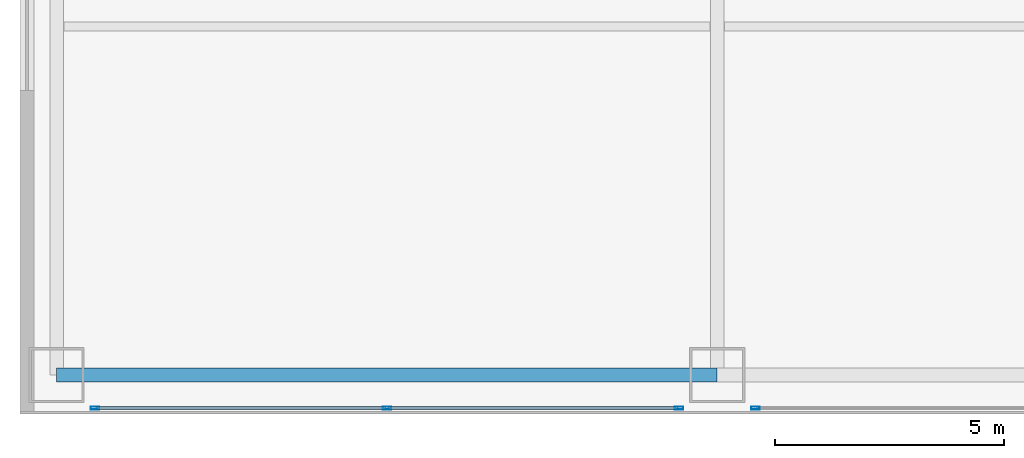
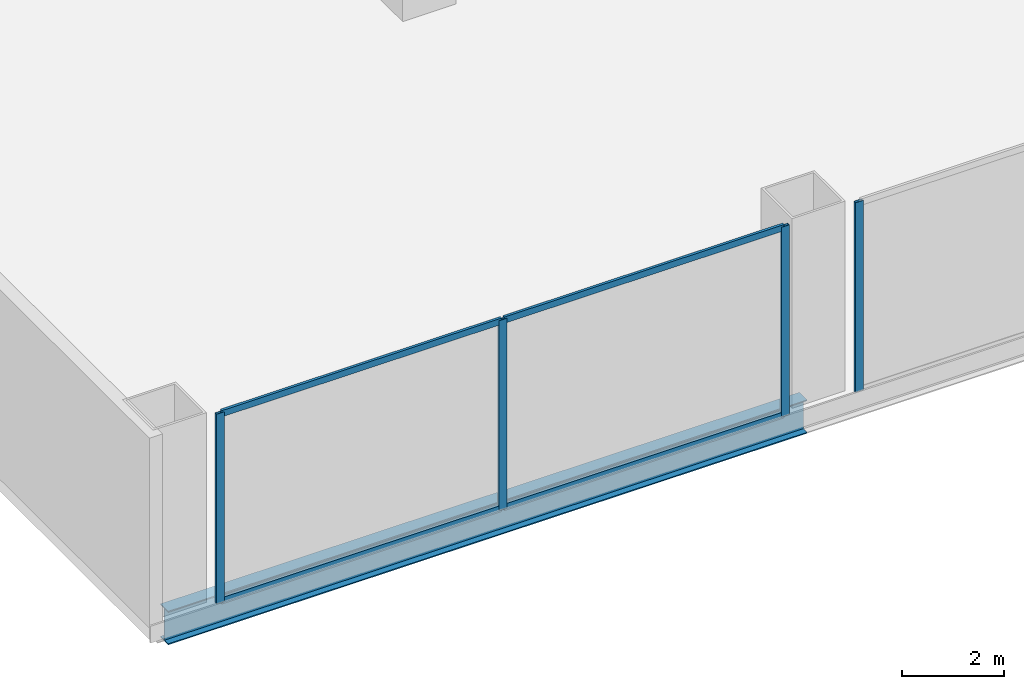
# One storey, part 3 of 40: 8 members, 1 beam, 2 elements without a shape of their own.
"""IFC4 building model written with IfcOpenShell, lengths in metres."""

from ifc_helpers import new_model, si_unit, direction, frame, origin, origin_2d, place, context, subcontext, project, spatial, hollow_rectangle, i_section, extrude, source, transform, mapped, material, layer, layer_set, material_profile, profile_set, type_object, element, aggregate, save


model = new_model("IFC4")

# Units and contexts
model_context = context("Model", 3, precision=1e-05, world=origin(), true_north=direction((0.0, 1.0)))
body_context = subcontext(model_context, "Body", "Model", "MODEL_VIEW")
ifc_project = project(units=[si_unit("LENGTHUNIT", "METRE"), si_unit("AREAUNIT", "SQUARE_METRE"), si_unit("VOLUMEUNIT", "CUBIC_METRE"), si_unit("PLANEANGLEUNIT", "RADIAN"), si_unit("MASSUNIT", "GRAM", prefix="KILO"), si_unit("THERMODYNAMICTEMPERATUREUNIT", "KELVIN"), si_unit("POWERUNIT", "WATT")], contexts=[model_context])

# Site, building, storey
site_placement = place(None, origin())
site = spatial("IfcSite", under=ifc_project, at=site_placement, CompositionType="ELEMENT")
building_placement = place(site_placement, origin())
building = spatial("IfcBuilding", under=site, at=building_placement, Name="Yunzhuo Pagoda Commons", CompositionType="ELEMENT")
storey_placement = place(building_placement, frame((0.0, 0.0, 14.39990234375)))
storey = spatial("IfcBuildingStorey", under=building, at=storey_placement, Name="L04", CompositionType="ELEMENT", Elevation=14.39990234375)

# Beam
ifc_material_1 = material(Name="Structural steel Q355B", Category="steel")
ifc_material_profile_1 = material_profile(ifc_material_1, i_section(OverallWidth=0.300048828125, OverallDepth=0.800048828125, WebThickness=0.013916015625, FlangeThickness=0.02587890625, at=origin_2d()), Name="Structural steel Q355B")
ifc_profile_set_1 = profile_set([ifc_material_profile_1], Name="Structural steel Q355B")
beam_type = type_object("IfcBeamType", Name="B-PD2 Beam HN 800x300x14x26", PredefinedType="BEAM", material=ifc_profile_set_1)
shared_shape_1 = source(origin(), body_context, "Body", "SweptSolid", [
    extrude(i_section(OverallWidth=0.300048828125, OverallDepth=0.800048828125, WebThickness=0.013916015625, FlangeThickness=0.02587890625, at=origin_2d()), origin(), (0.0, 0.0, 1.0), 14.39990234375),
])
beam_placement = place(storey_placement, frame((4.800048828125, 6.800048828125, -0.679931640625), z_axis=(1.0, 0.0, 0.0), x_axis=(0.0, 1.0, 0.0)))
element("IfcBeam", 1, at=beam_placement, inside=storey, type_object=beam_type, Name="L04 podium girder EW 1.1", PredefinedType="BEAM", context=body_context, shape_type="MappedRepresentation", body=[
    mapped(shared_shape_1, transform((0.0, 0.0, 0.0), scale=1.0)),
])

# Curtain wall, members
ifc_material_2 = material(Name="Anodized aluminium 6063-T6", Category="aluminium")
ifc_layer = layer(ifc_material_2, 0.179931640625)
ifc_layer_set = layer_set([ifc_layer], Name="Anodized aluminium 6063-T6")
curtain_wall_type = type_object("IfcCurtainWallType", Name="CW-POD Waterfront Podium Curtain Wall", PredefinedType="NOTDEFINED", material=ifc_layer_set)
curtain_wall_1_placement = place(storey_placement, origin())
curtain_wall_1 = element("IfcCurtainWall", 2, at=curtain_wall_1_placement, inside=storey, type_object=curtain_wall_type, Name="L04 curtain wall CW-L04-S1", PredefinedType="NOTDEFINED")
ifc_material_profile_2 = material_profile(ifc_material_2, hollow_rectangle(XDim=0.06494140625, YDim=0.179931640625, WallThickness=0.00390625, at=origin_2d()), Name="Anodized aluminium 6063-T6")
ifc_profile_set_2 = profile_set([ifc_material_profile_2], Name="Anodized aluminium 6063-T6")
member_type_1 = type_object("IfcMemberType", Name="CW-POD-M Mullion RHS 180x65x4", PredefinedType="MULLION", material=ifc_profile_set_2)
shared_shape_2 = source(origin(), body_context, "Body", "SweptSolid", [
    extrude(hollow_rectangle(XDim=0.06494140625, YDim=0.179931640625, WallThickness=0.00390625, at=origin_2d()), origin(), (0.0, 0.0, 1.0), 4.52001953125),
])
member_1_placement = place(storey_placement, frame((5.632568359375, 6.080078125, 0.0), z_axis=(0.0, 0.0, 1.0), x_axis=(0.0, 1.0, 0.0)))
member_1 = element("IfcMember", 3, at=member_1_placement, type_object=member_type_1, Name="CW mullion 1", PredefinedType="MULLION", context=body_context, shape_type="MappedRepresentation", body=[
    mapped(shared_shape_2, transform((0.0, 0.0, 0.0), scale=1.0)),
])
member_2_placement = place(storey_placement, frame((12.0, 6.080078125, 0.0), z_axis=(0.0, 0.0, 1.0), x_axis=(0.0, 1.0, 0.0)))
member_2 = element("IfcMember", 4, at=member_2_placement, type_object=member_type_1, Name="CW mullion 2", PredefinedType="MULLION", context=body_context, shape_type="MappedRepresentation", body=[
    mapped(shared_shape_2, transform((0.0, 0.0, 0.0), scale=1.0)),
])
member_3_placement = place(storey_placement, frame((18.367431640625, 6.080078125, 0.0), z_axis=(0.0, 0.0, 1.0), x_axis=(0.0, 1.0, 0.0)))
member_3 = element("IfcMember", 5, at=member_3_placement, type_object=member_type_1, Name="CW mullion 3", PredefinedType="MULLION", context=body_context, shape_type="MappedRepresentation", body=[
    mapped(shared_shape_2, transform((0.0, 0.0, 0.0), scale=1.0)),
])

# Curtain wall, member
curtain_wall_2_placement = place(storey_placement, origin())
curtain_wall_2 = element("IfcCurtainWall", 6, at=curtain_wall_2_placement, inside=storey, type_object=curtain_wall_type, Name="L04 curtain wall CW-L04-S2", PredefinedType="NOTDEFINED")
member_4_placement = place(storey_placement, frame((20.032470703125, 6.080078125, 0.0), z_axis=(0.0, 0.0, 1.0), x_axis=(0.0, 1.0, 0.0)))
member_4 = element("IfcMember", 7, at=member_4_placement, type_object=member_type_1, Name="CW mullion 1", PredefinedType="MULLION", context=body_context, shape_type="MappedRepresentation", body=[
    mapped(shared_shape_2, transform((0.0, 0.0, 0.0), scale=1.0)),
])
aggregate(curtain_wall_2, [member_4])

# Member
ifc_material_profile_3 = material_profile(ifc_material_2, hollow_rectangle(XDim=0.06005859375, YDim=0.14990234375, WallThickness=0.00390625, at=origin_2d()), Name="Anodized aluminium 6063-T6")
ifc_profile_set_3 = profile_set([ifc_material_profile_3], Name="Anodized aluminium 6063-T6")
member_type_2 = type_object("IfcMemberType", Name="CW-POD-T Transom RHS 150x60x4", PredefinedType="USERDEFINED", material=ifc_profile_set_3)
shared_shape_3 = source(origin(), body_context, "Body", "SweptSolid", [
    extrude(hollow_rectangle(XDim=0.06005859375, YDim=0.14990234375, WallThickness=0.00390625, at=origin_2d()), origin(), (0.0, 0.0, 1.0), 6.302490234375),
])
member_5_placement = place(storey_placement, frame((5.6650390625, 6.080078125, 0.030029296875), z_axis=(1.0, 0.0, 0.0), x_axis=(0.0, 1.0, 0.0)))
member_5 = element("IfcMember", 8, at=member_5_placement, type_object=member_type_2, Name="CW transom 1.1", ObjectType="TRANSOM", PredefinedType="USERDEFINED", context=body_context, shape_type="MappedRepresentation", body=[
    mapped(shared_shape_3, transform((0.0, 0.0, 0.0), scale=1.0)),
])

member_6_placement = place(storey_placement, frame((5.6650390625, 6.080078125, 4.489990234375), z_axis=(1.0, 0.0, 0.0), x_axis=(0.0, 1.0, 0.0)))
member_6 = element("IfcMember", 9, at=member_6_placement, type_object=member_type_2, Name="CW transom 1.2", ObjectType="TRANSOM", PredefinedType="USERDEFINED", context=body_context, shape_type="MappedRepresentation", body=[
    mapped(shared_shape_3, transform((0.0, 0.0, 0.0), scale=1.0)),
])

member_7_placement = place(storey_placement, frame((12.032470703125, 6.080078125, 0.030029296875), z_axis=(1.0, 0.0, 0.0), x_axis=(0.0, 1.0, 0.0)))
member_7 = element("IfcMember", 10, at=member_7_placement, type_object=member_type_2, Name="CW transom 2.1", ObjectType="TRANSOM", PredefinedType="USERDEFINED", context=body_context, shape_type="MappedRepresentation", body=[
    mapped(shared_shape_3, transform((0.0, 0.0, 0.0), scale=1.0)),
])

member_8_placement = place(storey_placement, frame((12.032470703125, 6.080078125, 4.489990234375), z_axis=(1.0, 0.0, 0.0), x_axis=(0.0, 1.0, 0.0)))
member_8 = element("IfcMember", 11, at=member_8_placement, type_object=member_type_2, Name="CW transom 2.2", ObjectType="TRANSOM", PredefinedType="USERDEFINED", context=body_context, shape_type="MappedRepresentation", body=[
    mapped(shared_shape_3, transform((0.0, 0.0, 0.0), scale=1.0)),
])

aggregate(curtain_wall_1, [member_1, member_2, member_3, member_5, member_6, member_7, member_8])

save(model, "model.ifc")
